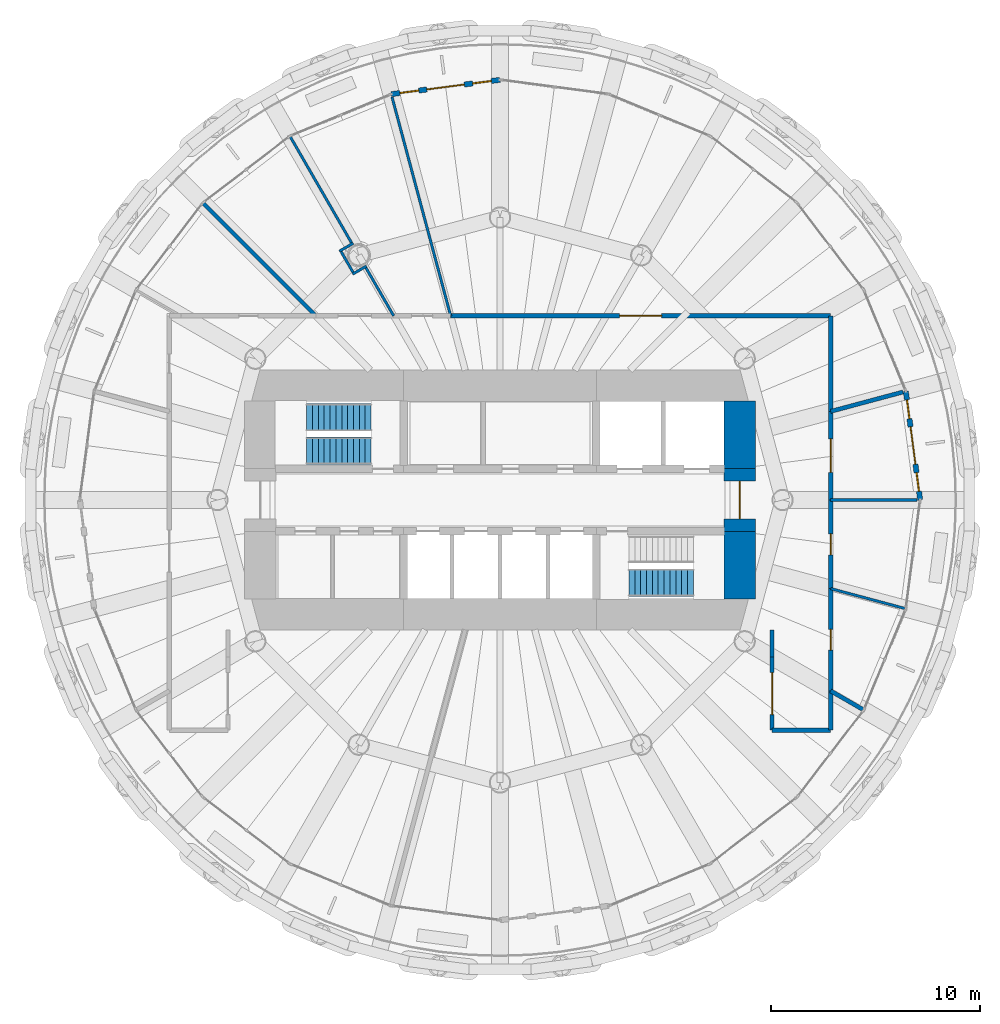
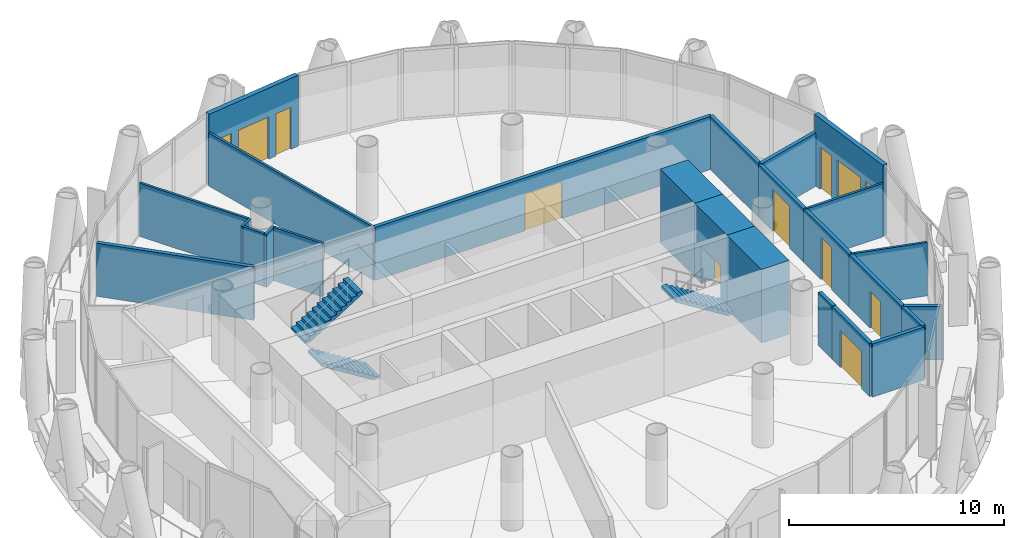
# One storey, part 11 of 15: 25 walls, 8 doors, 4 windows, 3 stair flights, 12 openings, 2 elements without a shape of their own.
"""IFC4 building model written with IfcOpenShell, lengths in metres."""

from ifc_helpers import new_model, si_unit, direction, frame, frame_2d, origin, place, context, subcontext, project, spatial, polyline, rectangle, outline, extrude, material, layer, layer_set, type_object, element, fill, aggregate, save


model = new_model("IFC4")

# Units and contexts
model_context = context("Model", 3, precision=1e-05, world=origin(), true_north=direction((0.0, 1.0)))
body_context = subcontext(model_context, "Body", "Model", "MODEL_VIEW")
ifc_project = project(units=[si_unit("LENGTHUNIT", "METRE"), si_unit("AREAUNIT", "SQUARE_METRE"), si_unit("VOLUMEUNIT", "CUBIC_METRE"), si_unit("PLANEANGLEUNIT", "RADIAN"), si_unit("MASSUNIT", "GRAM", prefix="KILO")], contexts=[model_context])

# Site, building, storey
site_placement = place(None, origin())
site = spatial("IfcSite", under=ifc_project, at=site_placement, CompositionType="ELEMENT")
building_placement = place(site_placement, origin())
building = spatial("IfcBuilding", under=site, at=building_placement, Name="Qaws Media Tower", CompositionType="ELEMENT")
storey_placement = place(building_placement, frame((0.0, 0.0, 231.800048828125)))
storey = spatial("IfcBuildingStorey", under=building, at=storey_placement, Name="L53", CompositionType="ELEMENT", Elevation=231.800048828125)

# Wall, openings, door, windows
ifc_material_1 = material(Name="Precast concrete, exposed finish", Category="concrete")
ifc_layer_1 = layer(ifc_material_1, 0.25)
ifc_layer_set_1 = layer_set([ifc_layer_1], Name="Balcony door wall 250")
wall_type_1 = type_object("IfcWallType", Name="Balcony door wall 250", PredefinedType="SOLIDWALL", material=ifc_layer_set_1)
wall_1_placement = place(storey_placement, frame((80.074951171875, 50.0, 0.0), z_axis=(0.0, 0.0, 1.0), x_axis=(-0.130534047724, 0.991443827145, 0.0)))
wall_1 = element("IfcWall", 1, at=wall_1_placement, inside=storey, type_object=wall_type_1, Name="W251 EW1 balcony door wall L53-01", PredefinedType="SOLIDWALL", context=body_context, shape_type="SweptSolid", body=[
    extrude(rectangle(XDim=5.24072265625, YDim=0.25, at=frame_2d((2.620361328125, 0.0))), origin(), (0.0, 0.0, 1.0), 4.0400390625),
])
opening_1_placement = place(wall_1_placement, frame((1.72021484375, 0.0, 0.0)))
opening_1 = element("IfcOpeningElement", 2, at=opening_1_placement, cuts=wall_1, Name="Opening D7", PredefinedType="OPENING", context=body_context, shape_type="SweptSolid", body=[
    extrude(rectangle(XDim=1.800048828125, YDim=2.39990234375, at=frame_2d((0.89990234375, 1.199951171875))), frame((0.0, 0.135009765625, 0.0), z_axis=(0.0, -1.0, 0.0), x_axis=(1.0, 0.0, 0.0)), (0.0, 0.0, 1.0), 0.27001953125),
])
opening_2_placement = place(wall_1_placement, frame((0.42041015625, 0.0, 0.0)))
opening_2 = element("IfcOpeningElement", 3, at=opening_2_placement, cuts=wall_1, Name="Opening W7", PredefinedType="OPENING", context=body_context, shape_type="SweptSolid", body=[
    extrude(rectangle(XDim=0.89990234375, YDim=2.39990234375, at=frame_2d((0.449951171875, 1.199951171875))), frame((0.0, 0.135009765625, 0.0), z_axis=(0.0, -1.0, 0.0), x_axis=(1.0, 0.0, 0.0)), (0.0, 0.0, 1.0), 0.27001953125),
])
opening_3_placement = place(wall_1_placement, frame((3.92041015625, 0.0, 0.0)))
opening_3 = element("IfcOpeningElement", 4, at=opening_3_placement, cuts=wall_1, Name="Opening W7", PredefinedType="OPENING", context=body_context, shape_type="SweptSolid", body=[
    extrude(rectangle(XDim=0.89990234375, YDim=2.39990234375, at=frame_2d((0.449951171875, 1.199951171875))), frame((0.0, 0.135009765625, 0.0), z_axis=(0.0, -1.0, 0.0), x_axis=(1.0, 0.0, 0.0)), (0.0, 0.0, 1.0), 0.27001953125),
])
ifc_material_2 = material(Name="Aluminium and clear glass", Category="aluminium")
door_type_1 = type_object("IfcDoorType", Name="Balcony door pair 1800", OperationType="DOUBLE_DOOR_SLIDING", PredefinedType="DOOR", material=ifc_material_2)
door_1_placement = place(opening_1_placement, origin())
door_1 = element("IfcDoor", 5, at=door_1_placement, inside=storey, type_object=door_type_1, Name="D7 balcony door L53-01 in wall W251", OperationType="DOUBLE_DOOR_SLIDING", OverallHeight=2.39990234375, OverallWidth=1.800048828125, PredefinedType="DOOR", context=body_context, shape_type="SweptSolid", body=[
    extrude(rectangle(XDim=1.800048828125, YDim=2.39990234375, at=frame_2d((0.89990234375, 1.199951171875))), frame((0.0, 0.02490234375, 0.0), z_axis=(0.0, -1.0, 0.0), x_axis=(1.0, 0.0, 0.0)), (0.0, 0.0, 1.0), 0.050048828125),
])
fill(opening_1, door_1)
ifc_material_3 = material(Name="Aluminium and clear glass", Category="aluminium")
window_type = type_object("IfcWindowType", Name="Balcony side window 900", PartitioningType="SINGLE_PANEL", PredefinedType="WINDOW", material=ifc_material_3)
window_1_placement = place(opening_2_placement, origin())
window_1 = element("IfcWindow", 6, at=window_1_placement, inside=storey, type_object=window_type, Name="W1 balcony side light L53-01L", OverallHeight=2.39990234375, OverallWidth=0.89990234375, PartitioningType="SINGLE_PANEL", PredefinedType="WINDOW", context=body_context, shape_type="SweptSolid", body=[
    extrude(rectangle(XDim=0.89990234375, YDim=2.39990234375, at=frame_2d((0.449951171875, 1.199951171875))), frame((0.0, 0.030029296875, 0.0), z_axis=(0.0, -1.0, 0.0), x_axis=(1.0, 0.0, 0.0)), (0.0, 0.0, 1.0), 0.06005859375),
])
fill(opening_2, window_1)
window_2_placement = place(opening_3_placement, origin())
window_2 = element("IfcWindow", 7, at=window_2_placement, inside=storey, type_object=window_type, Name="W1 balcony side light L53-01R", OverallHeight=2.39990234375, OverallWidth=0.89990234375, PartitioningType="SINGLE_PANEL", PredefinedType="WINDOW", context=body_context, shape_type="SweptSolid", body=[
    extrude(rectangle(XDim=0.89990234375, YDim=2.39990234375, at=frame_2d((0.449951171875, 1.199951171875))), frame((0.0, 0.030029296875, 0.0), z_axis=(0.0, -1.0, 0.0), x_axis=(1.0, 0.0, 0.0)), (0.0, 0.0, 1.0), 0.06005859375),
])
fill(opening_3, window_2)

wall_2_placement = place(storey_placement, frame((60.0, 70.074951171875, 0.0), z_axis=(0.0, 0.0, 1.0), x_axis=(-0.991443827145, -0.130534047724, 0.0)))
wall_2 = element("IfcWall", 8, at=wall_2_placement, inside=storey, type_object=wall_type_1, Name="W250 EW1 balcony door wall L53-07", PredefinedType="SOLIDWALL", context=body_context, shape_type="SweptSolid", body=[
    extrude(rectangle(XDim=5.24072265625, YDim=0.25, at=frame_2d((2.620361328125, 0.0))), origin(), (0.0, 0.0, 1.0), 4.0400390625),
])
opening_4_placement = place(wall_2_placement, frame((1.72021484375, 0.0, 0.0)))
opening_4 = element("IfcOpeningElement", 9, at=opening_4_placement, cuts=wall_2, Name="Opening D7", PredefinedType="OPENING", context=body_context, shape_type="SweptSolid", body=[
    extrude(rectangle(XDim=1.800048828125, YDim=2.39990234375, at=frame_2d((0.89990234375, 1.199951171875))), frame((0.0, 0.135009765625, 0.0), z_axis=(0.0, -1.0, 0.0), x_axis=(1.0, 0.0, 0.0)), (0.0, 0.0, 1.0), 0.27001953125),
])
opening_5_placement = place(wall_2_placement, frame((0.42041015625, 0.0, 0.0)))
opening_5 = element("IfcOpeningElement", 10, at=opening_5_placement, cuts=wall_2, Name="Opening W7", PredefinedType="OPENING", context=body_context, shape_type="SweptSolid", body=[
    extrude(rectangle(XDim=0.89990234375, YDim=2.39990234375, at=frame_2d((0.449951171875, 1.199951171875))), frame((0.0, 0.135009765625, 0.0), z_axis=(0.0, -1.0, 0.0), x_axis=(1.0, 0.0, 0.0)), (0.0, 0.0, 1.0), 0.27001953125),
])
opening_6_placement = place(wall_2_placement, frame((3.92041015625, 0.0, 0.0)))
opening_6 = element("IfcOpeningElement", 11, at=opening_6_placement, cuts=wall_2, Name="Opening W7", PredefinedType="OPENING", context=body_context, shape_type="SweptSolid", body=[
    extrude(rectangle(XDim=0.89990234375, YDim=2.39990234375, at=frame_2d((0.449951171875, 1.199951171875))), frame((0.0, 0.135009765625, 0.0), z_axis=(0.0, -1.0, 0.0), x_axis=(1.0, 0.0, 0.0)), (0.0, 0.0, 1.0), 0.27001953125),
])
door_2_placement = place(opening_4_placement, origin())
door_2 = element("IfcDoor", 12, at=door_2_placement, inside=storey, type_object=door_type_1, Name="D7 balcony door L53-07 in wall W250", OperationType="DOUBLE_DOOR_SLIDING", OverallHeight=2.39990234375, OverallWidth=1.800048828125, PredefinedType="DOOR", context=body_context, shape_type="SweptSolid", body=[
    extrude(rectangle(XDim=1.800048828125, YDim=2.39990234375, at=frame_2d((0.89990234375, 1.199951171875))), frame((0.0, 0.02490234375, 0.0), z_axis=(0.0, -1.0, 0.0), x_axis=(1.0, 0.0, 0.0)), (0.0, 0.0, 1.0), 0.050048828125),
])
fill(opening_4, door_2)
window_3_placement = place(opening_5_placement, origin())
window_3 = element("IfcWindow", 13, at=window_3_placement, inside=storey, type_object=window_type, Name="W1 balcony side light L53-07L", OverallHeight=2.39990234375, OverallWidth=0.89990234375, PartitioningType="SINGLE_PANEL", PredefinedType="WINDOW", context=body_context, shape_type="SweptSolid", body=[
    extrude(rectangle(XDim=0.89990234375, YDim=2.39990234375, at=frame_2d((0.449951171875, 1.199951171875))), frame((0.0, 0.030029296875, 0.0), z_axis=(0.0, -1.0, 0.0), x_axis=(1.0, 0.0, 0.0)), (0.0, 0.0, 1.0), 0.06005859375),
])
fill(opening_5, window_3)
window_4_placement = place(opening_6_placement, origin())
window_4 = element("IfcWindow", 14, at=window_4_placement, inside=storey, type_object=window_type, Name="W1 balcony side light L53-07R", OverallHeight=2.39990234375, OverallWidth=0.89990234375, PartitioningType="SINGLE_PANEL", PredefinedType="WINDOW", context=body_context, shape_type="SweptSolid", body=[
    extrude(rectangle(XDim=0.89990234375, YDim=2.39990234375, at=frame_2d((0.449951171875, 1.199951171875))), frame((0.0, 0.030029296875, 0.0), z_axis=(0.0, -1.0, 0.0), x_axis=(1.0, 0.0, 0.0)), (0.0, 0.0, 1.0), 0.06005859375),
])
fill(opening_6, window_4)

# Wall
ifc_material_4 = material(Name="Concrete C60/75", Category="concrete")
ifc_layer_2 = layer(ifc_material_4, 1.5)
ifc_layer_set_2 = layer_set([ifc_layer_2], Name="Core wall 1500")
wall_type_2 = type_object("IfcWallType", Name="Core wall 1500", PredefinedType="SHEAR", material=ifc_layer_set_2)
wall_3_placement = place(storey_placement, frame((71.449951171875, 45.280029296875, 0.0), z_axis=(0.0, 0.0, 1.0), x_axis=(0.0, 1.0, 0.0)))
element("IfcWall", 15, at=wall_3_placement, inside=storey, type_object=wall_type_2, Name="W383 SW13 core wall ES L53", PredefinedType="SHEAR", context=body_context, shape_type="SweptSolid", body=[
    extrude(rectangle(XDim=3.219970703125, YDim=1.5, at=frame_2d((1.60986328125, 0.0))), origin(), (0.0, 0.0, 1.0), 4.199951171875),
])

# Wall, opening, door
wall_4_placement = place(storey_placement, frame((71.449951171875, 48.5, 0.0), z_axis=(0.0, 0.0, 1.0), x_axis=(0.0, 1.0, 0.0)))
wall_4 = element("IfcWall", 16, at=wall_4_placement, inside=storey, type_object=wall_type_2, Name="W384 SW13 core wall E L53", PredefinedType="SHEAR", context=body_context, shape_type="SweptSolid", body=[
    extrude(rectangle(XDim=3.0, YDim=1.5, at=frame_2d((1.5, 0.0))), origin(), (0.0, 0.0, 1.0), 4.199951171875),
])
opening_7_placement = place(wall_4_placement, frame((0.60009765625, 0.0, 0.0)))
opening_7 = element("IfcOpeningElement", 17, at=opening_7_placement, cuts=wall_4, Name="Opening D2", PredefinedType="OPENING", context=body_context, shape_type="SweptSolid", body=[
    extrude(rectangle(XDim=1.800048828125, YDim=2.10009765625, at=frame_2d((0.89990234375, 1.050048828125))), frame((0.0, 0.760009765625, 0.0), z_axis=(0.0, -1.0, 0.0), x_axis=(1.0, 0.0, 0.0)), (0.0, 0.0, 1.0), 1.52001953125),
])
ifc_material_5 = material(Name="Steel and glass, fire rated", Category="steel")
door_type_2 = type_object("IfcDoorType", Name="Lobby door pair 1800 FD60", OperationType="DOUBLE_DOOR_DOUBLE_SWING", PredefinedType="DOOR", material=ifc_material_5)
door_3_placement = place(opening_7_placement, origin())
door_3 = element("IfcDoor", 18, at=door_3_placement, inside=storey, type_object=door_type_2, Name="D2 core lobby door E L53 in wall W384", OperationType="DOUBLE_DOOR_DOUBLE_SWING", OverallHeight=2.10009765625, OverallWidth=1.800048828125, PredefinedType="DOOR", context=body_context, shape_type="SweptSolid", body=[
    extrude(rectangle(XDim=1.800048828125, YDim=2.10009765625, at=frame_2d((0.89990234375, 1.050048828125))), frame((0.0, 0.02490234375, 0.0), z_axis=(0.0, -1.0, 0.0), x_axis=(1.0, 0.0, 0.0)), (0.0, 0.0, 1.0), 0.050048828125),
])
fill(opening_7, door_3)

# Walls
wall_5_placement = place(storey_placement, frame((71.449951171875, 51.5, 0.0), z_axis=(0.0, 0.0, 1.0), x_axis=(0.0, 1.0, 0.0)))
element("IfcWall", 19, at=wall_5_placement, inside=storey, type_object=wall_type_2, Name="W385 SW13 core wall EN L53", PredefinedType="SHEAR", context=body_context, shape_type="SweptSolid", body=[
    extrude(rectangle(XDim=3.219970703125, YDim=1.5, at=frame_2d((1.60986328125, 0.0))), origin(), (0.0, 0.0, 1.0), 4.199951171875),
])
ifc_material_6 = material(Name="Two layers gypsum board each side on 75 studs, insulated", Category="gypsum")
ifc_layer_3 = layer(ifc_material_6, 0.125)
ifc_layer_set_3 = layer_set([ifc_layer_3], Name="Meeting room partition 125 Rw 48")
wall_type_3 = type_object("IfcWallType", Name="Meeting room partition 125 Rw 48", PredefinedType="PARTITIONING", material=ifc_layer_set_3)
wall_6_placement = place(storey_placement, frame((75.800048828125, 50.0, 0.0), z_axis=(0.0, 0.0, 1.0), x_axis=(1.0, 0.0, 0.0)))
element("IfcWall", 20, at=wall_6_placement, inside=storey, type_object=wall_type_3, Name="W617 IW5 partition L53", PredefinedType="PARTITIONING", context=body_context, shape_type="SweptSolid", body=[
    extrude(rectangle(XDim=4.135009765625, YDim=0.125, at=frame_2d((2.0673828125, 0.0))), origin(), (0.0, 0.0, 1.0), 3.0400390625),
])
wall_7_placement = place(storey_placement, frame((57.644775390625, 58.789794921875, 0.0), z_axis=(0.0, 0.0, 1.0), x_axis=(-0.258830692276, 0.965922705363, 0.0)))
element("IfcWall", 21, at=wall_7_placement, inside=storey, type_object=wall_type_3, Name="W616 IW5 partition L53", PredefinedType="PARTITIONING", context=body_context, shape_type="SweptSolid", body=[
    extrude(rectangle(XDim=10.8349609375, YDim=0.125, at=frame_2d((5.41748046875, 0.0))), origin(), (0.0, 0.0, 1.0), 3.02001953125),
])
for number, where, z_axis, x_axis, name in (
    (22, (53.619384765625, 61.176513671875, 0.0), (0.0, 0.0, 1.0), (-0.866036909293, -0.499980071345, 0.0), "W544 IW5 partition return L53"),
    (23, (52.989013671875, 62.2685546875, 0.0), (0.0, 0.0, 1.0), (-0.866174967129, -0.499740859165, 0.0), "W543 IW5 partition return L53"),
):
    element("IfcWall", number, at=place(storey_placement, frame(where, z_axis=z_axis, x_axis=x_axis)), inside=storey, type_object=wall_type_3, Name=name, PredefinedType="PARTITIONING", context=body_context, shape_type="SweptSolid", body=[
        extrude(rectangle(XDim=0.765625, YDim=0.125, at=frame_2d((0.3828125, 0.0))), origin(), (0.0, 0.0, 1.0), 3.02001953125),
    ])
wall_8_placement = place(storey_placement, frame((52.979248046875, 60.879150390625, 0.0), z_axis=(0.0, 0.0, 1.0), x_axis=(-0.499883687939, 0.866092546171, 0.0)))
element("IfcWall", 24, at=wall_8_placement, inside=storey, type_object=wall_type_3, Name="W542 IW5 partition return L53", PredefinedType="PARTITIONING", context=body_context, shape_type="SweptSolid", body=[
    extrude(rectangle(XDim=1.135986328125, YDim=0.125, at=frame_2d((0.56787109375, 0.0))), origin(), (0.0, 0.0, 1.0), 3.02001953125),
])
wall_9_placement = place(storey_placement, frame((54.919921875, 58.798828125, 0.0), z_axis=(0.0, 0.0, 1.0), x_axis=(-0.499977931934, 0.866038144413, 0.0)))
element("IfcWall", 25, at=wall_9_placement, inside=storey, type_object=wall_type_3, Name="W611 IW5 partition L53", PredefinedType="PARTITIONING", context=body_context, shape_type="SweptSolid", body=[
    extrude(rectangle(XDim=2.64697265625, YDim=0.125, at=frame_2d((1.323486328125, 0.0))), origin(), (0.0, 0.0, 1.0), 3.0400390625),
])
wall_10_placement = place(storey_placement, frame((52.903564453125, 62.29150390625, 0.0), z_axis=(0.0, 0.0, 1.0), x_axis=(-0.500017876784, 0.866015082373, 0.0)))
element("IfcWall", 26, at=wall_10_placement, inside=storey, type_object=wall_type_3, Name="W615 IW5 partition L53", PredefinedType="PARTITIONING", context=body_context, shape_type="SweptSolid", body=[
    extrude(rectangle(XDim=5.842041015625, YDim=0.125, at=frame_2d((2.9208984375, 0.0))), origin(), (0.0, 0.0, 1.0), 3.0400390625),
])
wall_11_placement = place(storey_placement, frame((75.802490234375, 45.765625, 0.0), z_axis=(0.0, 0.0, 1.0), x_axis=(0.965942121458, -0.258758223045, 0.0)))
element("IfcWall", 27, at=wall_11_placement, inside=storey, type_object=wall_type_3, Name="W618 IW5 partition L53", PredefinedType="PARTITIONING", context=body_context, shape_type="SweptSolid", body=[
    extrude(rectangle(XDim=3.675048828125, YDim=0.125, at=frame_2d((1.83740234375, 0.0))), origin(), (0.0, 0.0, 1.0), 3.0400390625),
])

# Wall, opening, door
ifc_material_7 = material(Name="Gypsum board on galvanised metal studs, acoustic double stud, deflection head", Category="gypsum")
ifc_layer_4 = layer(ifc_material_7, 0.199951171875)
ifc_layer_set_4 = layer_set([ifc_layer_4], Name="Room partition 200")
wall_type_4 = type_object("IfcWallType", Name="Room partition 200", PredefinedType="PARTITIONING", material=ifc_layer_set_4)
wall_12_placement = place(storey_placement, frame((57.64208984375, 58.800048828125, 0.0), z_axis=(0.0, 0.0, 1.0), x_axis=(1.0, 0.0, 0.0)))
wall_12 = element("IfcWall", 28, at=wall_12_placement, inside=storey, type_object=wall_type_4, Name="W1618 IW3 partition L53", PredefinedType="PARTITIONING", context=body_context, shape_type="SweptSolid", body=[
    extrude(rectangle(XDim=18.157958984375, YDim=0.199951171875, at=frame_2d((9.0791015625, 0.0))), origin(), (0.0, 0.0, 1.0), 3.02001953125),
])
opening_8_placement = place(wall_12_placement, frame((8.0791015625, 0.0, 0.0)))
opening_8 = element("IfcOpeningElement", 29, at=opening_8_placement, cuts=wall_12, Name="Opening D6", PredefinedType="OPENING", context=body_context, shape_type="SweptSolid", body=[
    extrude(rectangle(XDim=2.0, YDim=2.10009765625, at=frame_2d((1.0, 1.050048828125))), frame((0.0, 0.10986328125, 0.0), z_axis=(0.0, -1.0, 0.0), x_axis=(1.0, 0.0, 0.0)), (0.0, 0.0, 1.0), 0.219970703125),
])
ifc_material_8 = material(Name="Steel, acoustic, fire rated", Category="steel")
door_type_3 = type_object("IfcDoorType", Name="Room door pair 2000", OperationType="DOUBLE_DOOR_DOUBLE_SWING", PredefinedType="DOOR", material=ifc_material_8)
door_4_placement = place(opening_8_placement, origin())
door_4 = element("IfcDoor", 30, at=door_4_placement, inside=storey, type_object=door_type_3, Name="D6 Tenant office door L53 in wall W1618", OperationType="DOUBLE_DOOR_DOUBLE_SWING", OverallHeight=2.10009765625, OverallWidth=2.0, PredefinedType="DOOR", context=body_context, shape_type="SweptSolid", body=[
    extrude(rectangle(XDim=2.0, YDim=2.10009765625, at=frame_2d((1.0, 1.050048828125))), frame((0.0, 0.02490234375, 0.0), z_axis=(0.0, -1.0, 0.0), x_axis=(1.0, 0.0, 0.0)), (0.0, 0.0, 1.0), 0.050048828125),
])
fill(opening_8, door_4)

# Wall
wall_13_placement = place(storey_placement, frame((75.800048828125, 58.800048828125, 0.0), z_axis=(0.0, 0.0, 1.0), x_axis=(0.0, -1.0, 0.0)))
element("IfcWall", 31, at=wall_13_placement, inside=storey, type_object=wall_type_4, Name="W1625 IW3 partition L53", PredefinedType="PARTITIONING", context=body_context, shape_type="SweptSolid", body=[
    extrude(rectangle(XDim=4.56640625, YDim=0.199951171875, at=frame_2d((2.283203125, 0.0))), origin(), (0.0, 0.0, 1.0), 3.02001953125),
])

# Wall, opening, door
wall_14_placement = place(storey_placement, frame((75.800048828125, 54.233642578125, 0.0), z_axis=(0.0, 0.0, 1.0), x_axis=(0.0, -1.0, 0.0)))
wall_14 = element("IfcWall", 32, at=wall_14_placement, inside=storey, type_object=wall_type_4, Name="W1624 IW3 partition L53", PredefinedType="PARTITIONING", context=body_context, shape_type="SweptSolid", body=[
    extrude(rectangle(XDim=4.233642578125, YDim=0.199951171875, at=frame_2d((2.11669921875, 0.0))), origin(), (0.0, 0.0, 1.0), 3.02001953125),
])
opening_9_placement = place(wall_14_placement, frame((1.31689453125, 0.0, 0.0)))
opening_9 = element("IfcOpeningElement", 33, at=opening_9_placement, cuts=wall_14, Name="Opening D16", PredefinedType="OPENING", context=body_context, shape_type="SweptSolid", body=[
    extrude(rectangle(XDim=1.60009765625, YDim=2.39990234375, at=frame_2d((0.800048828125, 1.199951171875))), frame((0.0, 0.10986328125, 0.0), z_axis=(0.0, -1.0, 0.0), x_axis=(1.0, 0.0, 0.0)), (0.0, 0.0, 1.0), 0.219970703125),
])
ifc_material_9 = material(Name="Glazed aluminium, fire rated", Category="aluminium")
door_type_4 = type_object("IfcDoorType", Name="Tenant entrance door pair 1600x2400", OperationType="DOUBLE_DOOR_DOUBLE_SWING", PredefinedType="DOOR", material=ifc_material_9)
door_5_placement = place(opening_9_placement, origin())
door_5 = element("IfcDoor", 34, at=door_5_placement, inside=storey, type_object=door_type_4, Name="D16 Tenant reception door L53 in wall W1624", OperationType="DOUBLE_DOOR_DOUBLE_SWING", OverallHeight=2.39990234375, OverallWidth=1.60009765625, PredefinedType="DOOR", context=body_context, shape_type="SweptSolid", body=[
    extrude(rectangle(XDim=1.60009765625, YDim=2.39990234375, at=frame_2d((0.800048828125, 1.199951171875))), frame((0.0, 0.02490234375, 0.0), z_axis=(0.0, -1.0, 0.0), x_axis=(1.0, 0.0, 0.0)), (0.0, 0.0, 1.0), 0.050048828125),
])
fill(opening_9, door_5)

wall_15_placement = place(storey_placement, frame((75.800048828125, 50.0, 0.0), z_axis=(0.0, 0.0, 1.0), x_axis=(0.0, -1.0, 0.0)))
wall_15 = element("IfcWall", 35, at=wall_15_placement, inside=storey, type_object=wall_type_4, Name="W1623 IW3 partition L53", PredefinedType="PARTITIONING", context=body_context, shape_type="SweptSolid", body=[
    extrude(rectangle(XDim=4.233642578125, YDim=0.199951171875, at=frame_2d((2.11669921875, 0.0))), origin(), (0.0, 0.0, 1.0), 3.02001953125),
])
opening_10_placement = place(wall_15_placement, frame((1.61669921875, 0.0, 0.0)))
opening_10 = element("IfcOpeningElement", 36, at=opening_10_placement, cuts=wall_15, Name="Opening D13", PredefinedType="OPENING", context=body_context, shape_type="SweptSolid", body=[
    extrude(rectangle(XDim=1.0, YDim=2.39990234375, at=frame_2d((0.5, 1.199951171875))), frame((0.0, 0.10986328125, 0.0), z_axis=(0.0, -1.0, 0.0), x_axis=(1.0, 0.0, 0.0)), (0.0, 0.0, 1.0), 0.219970703125),
])
ifc_material_10 = material(Name="Frameless toughened glass, acoustic seals", Category="glass")
door_type_5 = type_object("IfcDoorType", Name="Glazed meeting room door 1000x2400", OperationType="SINGLE_SWING_LEFT", PredefinedType="DOOR", material=ifc_material_10)
door_6_placement = place(opening_10_placement, origin())
door_6 = element("IfcDoor", 37, at=door_6_placement, inside=storey, type_object=door_type_5, Name="D13 Meeting room door L53 in wall W1623", OperationType="SINGLE_SWING_LEFT", OverallHeight=2.39990234375, OverallWidth=1.0, PredefinedType="DOOR", context=body_context, shape_type="SweptSolid", body=[
    extrude(rectangle(XDim=1.0, YDim=2.39990234375, at=frame_2d((0.5, 1.199951171875))), frame((0.0, 0.02490234375, 0.0), z_axis=(0.0, -1.0, 0.0), x_axis=(1.0, 0.0, 0.0)), (0.0, 0.0, 1.0), 0.050048828125),
])
fill(opening_10, door_6)

wall_16_placement = place(storey_placement, frame((75.800048828125, 45.766357421875, 0.0), z_axis=(0.0, 0.0, 1.0), x_axis=(0.0, -1.0, 0.0)))
wall_16 = element("IfcWall", 38, at=wall_16_placement, inside=storey, type_object=wall_type_4, Name="W1622 IW3 partition L53", PredefinedType="PARTITIONING", context=body_context, shape_type="SweptSolid", body=[
    extrude(rectangle(XDim=4.888427734375, YDim=0.199951171875, at=frame_2d((2.4443359375, 0.0))), origin(), (0.0, 0.0, 1.0), 3.02001953125),
])
opening_11_placement = place(wall_16_placement, frame((1.9443359375, 0.0, 0.0)))
opening_11 = element("IfcOpeningElement", 39, at=opening_11_placement, cuts=wall_16, Name="Opening D5", PredefinedType="OPENING", context=body_context, shape_type="SweptSolid", body=[
    extrude(rectangle(XDim=1.0, YDim=2.10009765625, at=frame_2d((0.5, 1.050048828125))), frame((0.0, 0.10986328125, 0.0), z_axis=(0.0, -1.0, 0.0), x_axis=(1.0, 0.0, 0.0)), (0.0, 0.0, 1.0), 0.219970703125),
])
ifc_material_11 = material(Name="Timber veneered, acoustic seal", Category="wood")
door_type_6 = type_object("IfcDoorType", Name="Room door 1000", OperationType="SINGLE_SWING_LEFT", PredefinedType="DOOR", material=ifc_material_11)
door_7_placement = place(opening_11_placement, origin())
door_7 = element("IfcDoor", 40, at=door_7_placement, inside=storey, type_object=door_type_6, Name="D5 Tenant office door L53 in wall W1622", OperationType="SINGLE_SWING_LEFT", OverallHeight=2.10009765625, OverallWidth=1.0, PredefinedType="DOOR", context=body_context, shape_type="SweptSolid", body=[
    extrude(rectangle(XDim=1.0, YDim=2.10009765625, at=frame_2d((0.5, 1.050048828125))), frame((0.0, 0.02490234375, 0.0), z_axis=(0.0, -1.0, 0.0), x_axis=(1.0, 0.0, 0.0)), (0.0, 0.0, 1.0), 0.050048828125),
])
fill(opening_11, door_7)

# Walls
wall_17_placement = place(storey_placement, frame((75.800048828125, 40.8779296875, 0.0), z_axis=(0.0, 0.0, 1.0), x_axis=(0.0, -1.0, 0.0)))
element("IfcWall", 41, at=wall_17_placement, inside=storey, type_object=wall_type_4, Name="W1232 IW3 partition L53", PredefinedType="PARTITIONING", context=body_context, shape_type="SweptSolid", body=[
    extrude(rectangle(XDim=1.8779296875, YDim=0.199951171875, at=frame_2d((0.93896484375, 0.0))), origin(), (0.0, 0.0, 1.0), 3.0400390625),
])
wall_18_placement = place(storey_placement, frame((75.800048828125, 39.0, 0.0), z_axis=(0.0, 0.0, 1.0), x_axis=(-1.0, 0.0, 0.0)))
element("IfcWall", 42, at=wall_18_placement, inside=storey, type_object=wall_type_4, Name="W1634 IW3 partition L53", PredefinedType="PARTITIONING", context=body_context, shape_type="SweptSolid", body=[
    extrude(rectangle(XDim=2.800048828125, YDim=0.199951171875, at=frame_2d((1.39990234375, 0.0))), origin(), (0.0, 0.0, 1.0), 3.02001953125),
])

# Wall, opening, door
wall_19_placement = place(storey_placement, frame((73.0, 39.0, 0.0), z_axis=(0.0, 0.0, 1.0), x_axis=(0.0, 1.0, 0.0)))
wall_19 = element("IfcWall", 43, at=wall_19_placement, inside=storey, type_object=wall_type_4, Name="W1602 IW3 partition L53", PredefinedType="PARTITIONING", context=body_context, shape_type="SweptSolid", body=[
    extrude(rectangle(XDim=3.494384765625, YDim=0.199951171875, at=frame_2d((1.7470703125, 0.0))), origin(), (0.0, 0.0, 1.0), 3.02001953125),
])
opening_12_placement = place(wall_19_placement, frame((0.747314453125, 0.0, 0.0)))
opening_12 = element("IfcOpeningElement", 44, at=opening_12_placement, cuts=wall_19, Name="Opening D6", PredefinedType="OPENING", context=body_context, shape_type="SweptSolid", body=[
    extrude(rectangle(XDim=2.0, YDim=2.10009765625, at=frame_2d((1.0, 1.050048828125))), frame((0.0, 0.10986328125, 0.0), z_axis=(0.0, -1.0, 0.0), x_axis=(1.0, 0.0, 0.0)), (0.0, 0.0, 1.0), 0.219970703125),
])
door_8_placement = place(opening_12_placement, origin())
door_8 = element("IfcDoor", 45, at=door_8_placement, inside=storey, type_object=door_type_3, Name="D6 Tenant office door L53 in wall W1602", OperationType="DOUBLE_DOOR_DOUBLE_SWING", OverallHeight=2.10009765625, OverallWidth=2.0, PredefinedType="DOOR", context=body_context, shape_type="SweptSolid", body=[
    extrude(rectangle(XDim=2.0, YDim=2.10009765625, at=frame_2d((1.0, 1.050048828125))), frame((0.0, 0.02490234375, 0.0), z_axis=(0.0, -1.0, 0.0), x_axis=(1.0, 0.0, 0.0)), (0.0, 0.0, 1.0), 0.050048828125),
])
fill(opening_12, door_8)

# Walls
wall_20_placement = place(storey_placement, frame((73.0, 42.494384765625, 0.0), z_axis=(0.0, 0.0, 1.0), x_axis=(0.0, 1.0, 0.0)))
element("IfcWall", 46, at=wall_20_placement, inside=storey, type_object=wall_type_4, Name="W1576 IW3 partition L53", PredefinedType="PARTITIONING", context=body_context, shape_type="SweptSolid", body=[
    extrude(rectangle(XDim=1.3056640625, YDim=0.199951171875, at=frame_2d((0.65283203125, 0.0))), origin(), (0.0, 0.0, 1.0), 3.0400390625),
])
wall_21_placement = place(storey_placement, frame((75.802490234375, 54.234375, 0.0), z_axis=(0.0, 0.0, 1.0), x_axis=(0.96592366443, 0.258827113136, 0.0)))
element("IfcWall", 47, at=wall_21_placement, inside=storey, type_object=wall_type_4, Name="W1635 IW3 partition L53", PredefinedType="PARTITIONING", context=body_context, shape_type="SweptSolid", body=[
    extrude(rectangle(XDim=3.574951171875, YDim=0.199951171875, at=frame_2d((1.78759765625, 0.0))), origin(), (0.0, 0.0, 1.0), 3.0400390625),
])
wall_22_placement = place(storey_placement, frame((51.20361328125, 58.79638671875, 0.0), z_axis=(0.0, 0.0, 1.0), x_axis=(-0.707106781187, 0.707106781187, 0.0)))
element("IfcWall", 48, at=wall_22_placement, inside=storey, type_object=wall_type_4, Name="W1631 IW3 partition L53", PredefinedType="PARTITIONING", context=body_context, shape_type="SweptSolid", body=[
    extrude(rectangle(XDim=7.59521484375, YDim=0.199951171875, at=frame_2d((3.797607421875, 0.0))), origin(), (0.0, 0.0, 1.0), 3.02001953125),
])
wall_23_placement = place(storey_placement, frame((75.79638671875, 40.8798828125, 0.0), z_axis=(0.0, 0.0, 1.0), x_axis=(0.866024765567, -0.500001105423, 0.0)))
element("IfcWall", 49, at=wall_23_placement, inside=storey, type_object=wall_type_4, Name="W1633 IW3 partition L53", PredefinedType="PARTITIONING", context=body_context, shape_type="SweptSolid", body=[
    extrude(rectangle(XDim=1.794921875, YDim=0.199951171875, at=frame_2d((0.8974609375, 0.0))), origin(), (0.0, 0.0, 1.0), 3.0400390625),
])

# Stair, stair flights
ifc_material_12 = material(Name="Concrete C40/50", Category="concrete")
stair_type = type_object("IfcStairType", Name="Exit stair", PredefinedType="HALF_TURN_STAIR", material=ifc_material_12)
stair_1_placement = place(storey_placement, origin())
stair_1 = element("IfcStair", 50, at=stair_1_placement, inside=storey, type_object=stair_type, Name="S1 exit stair L53", PredefinedType="HALF_TURN_STAIR")
ifc_material_13 = material(Name="Concrete C40/50", Category="concrete")
stair_flight_type = type_object("IfcStairFlightType", Name="Stair flight 1310", PredefinedType="STRAIGHT", material=ifc_material_13)
stair_flight_1_placement = place(storey_placement, frame((53.840087890625, 52.35498046875, 0.0), z_axis=(0.0, 0.0, 1.0), x_axis=(-1.0, 0.0, 0.0)))
stair_flight_1 = element("IfcStairFlight", 51, at=stair_flight_1_placement, type_object=stair_flight_type, Name="S1 flight 1", NumberOfRisers=12, NumberOfTreads=11, PredefinedType="STRAIGHT", RiserHeight=0.175, TreadLength=0.28, context=body_context, shape_type="SweptSolid", body=[
    extrude(outline(polyline([(0.0, 0.0), (0.0, 0.175048828125), (0.280029296875, 0.175048828125), (0.280029296875, 0.35009765625), (0.56005859375, 0.35009765625), (0.56005859375, 0.52490234375), (0.840087890625, 0.52490234375), (0.840087890625, 0.699951171875), (1.1201171875, 0.699951171875), (1.1201171875, 0.875), (1.39990234375, 0.875), (1.39990234375, 1.050048828125), (1.679931640625, 1.050048828125), (1.679931640625, 1.22509765625), (1.9599609375, 1.22509765625), (1.9599609375, 1.39990234375), (2.239990234375, 1.39990234375), (2.239990234375, 1.574951171875), (2.52001953125, 1.574951171875), (2.52001953125, 1.75), (2.800048828125, 1.75), (2.800048828125, 1.925048828125), (3.080078125, 1.925048828125), (3.080078125, 2.10009765625), (3.080078125, 1.748291015625), (0.28271484375, 0.0), (0.0, 0.0)])), frame((0.0, 0.655029296875, 0.0), z_axis=(0.0, -1.0, 0.0), x_axis=(1.0, 0.0, 0.0)), (0.0, 0.0, 1.0), 1.31005859375),
])
stair_flight_2_placement = place(storey_placement, frame((50.760009765625, 53.945068359375, 2.099853515625), z_axis=(0.0, 0.0, 1.0), x_axis=(1.0, 0.0, 0.0)))
stair_flight_2 = element("IfcStairFlight", 52, at=stair_flight_2_placement, type_object=stair_flight_type, Name="S1 flight 2", NumberOfRisers=12, NumberOfTreads=11, PredefinedType="STRAIGHT", RiserHeight=0.175, TreadLength=0.28, context=body_context, shape_type="SweptSolid", body=[
    extrude(outline(polyline([(0.0, 0.0), (0.0, 0.175048828125), (0.280029296875, 0.175048828125), (0.280029296875, 0.35009765625), (0.56005859375, 0.35009765625), (0.56005859375, 0.52490234375), (0.840087890625, 0.52490234375), (0.840087890625, 0.699951171875), (1.1201171875, 0.699951171875), (1.1201171875, 0.875), (1.39990234375, 0.875), (1.39990234375, 1.050048828125), (1.679931640625, 1.050048828125), (1.679931640625, 1.22509765625), (1.9599609375, 1.22509765625), (1.9599609375, 1.39990234375), (2.239990234375, 1.39990234375), (2.239990234375, 1.574951171875), (2.52001953125, 1.574951171875), (2.52001953125, 1.75), (2.800048828125, 1.75), (2.800048828125, 1.925048828125), (3.080078125, 1.925048828125), (3.080078125, 2.10009765625), (3.080078125, 1.748291015625), (0.28271484375, 0.0), (0.0, 0.0)])), frame((0.0, 0.655029296875, 0.0), z_axis=(0.0, -1.0, 0.0), x_axis=(1.0, 0.0, 0.0)), (0.0, 0.0, 1.0), 1.31005859375),
])
aggregate(stair_1, [stair_flight_1, stair_flight_2])

# Stair, stair flight
stair_2_placement = place(storey_placement, origin())
stair_2 = element("IfcStair", 53, at=stair_2_placement, inside=storey, type_object=stair_type, Name="S2 exit stair L53", PredefinedType="HALF_TURN_STAIR")
stair_flight_3_placement = place(storey_placement, frame((69.239990234375, 46.054931640625, 2.099853515625), z_axis=(0.0, 0.0, 1.0), x_axis=(-1.0, 0.0, 0.0)))
stair_flight_3 = element("IfcStairFlight", 54, at=stair_flight_3_placement, type_object=stair_flight_type, Name="S2 flight 2", NumberOfRisers=12, NumberOfTreads=11, PredefinedType="STRAIGHT", RiserHeight=0.175, TreadLength=0.28, context=body_context, shape_type="SweptSolid", body=[
    extrude(outline(polyline([(0.0, 0.0), (0.0, 0.175048828125), (0.280029296875, 0.175048828125), (0.280029296875, 0.35009765625), (0.56005859375, 0.35009765625), (0.56005859375, 0.52490234375), (0.840087890625, 0.52490234375), (0.840087890625, 0.699951171875), (1.1201171875, 0.699951171875), (1.1201171875, 0.875), (1.39990234375, 0.875), (1.39990234375, 1.050048828125), (1.679931640625, 1.050048828125), (1.679931640625, 1.22509765625), (1.9599609375, 1.22509765625), (1.9599609375, 1.39990234375), (2.239990234375, 1.39990234375), (2.239990234375, 1.574951171875), (2.52001953125, 1.574951171875), (2.52001953125, 1.75), (2.800048828125, 1.75), (2.800048828125, 1.925048828125), (3.080078125, 1.925048828125), (3.080078125, 2.10009765625), (3.080078125, 1.748291015625), (0.28271484375, 0.0), (0.0, 0.0)])), frame((0.0, 0.655029296875, 0.0), z_axis=(0.0, -1.0, 0.0), x_axis=(1.0, 0.0, 0.0)), (0.0, 0.0, 1.0), 1.31005859375),
])
aggregate(stair_2, [stair_flight_3])

save(model, "model.ifc")
